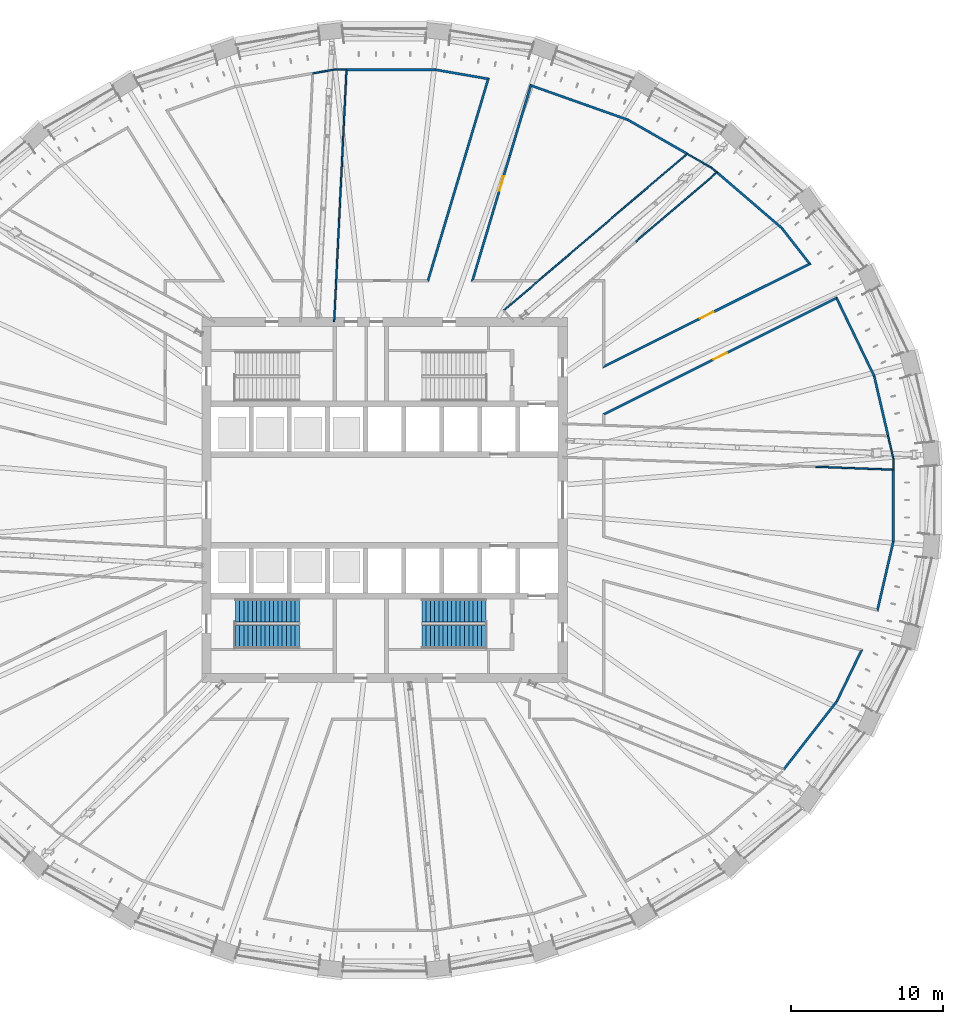
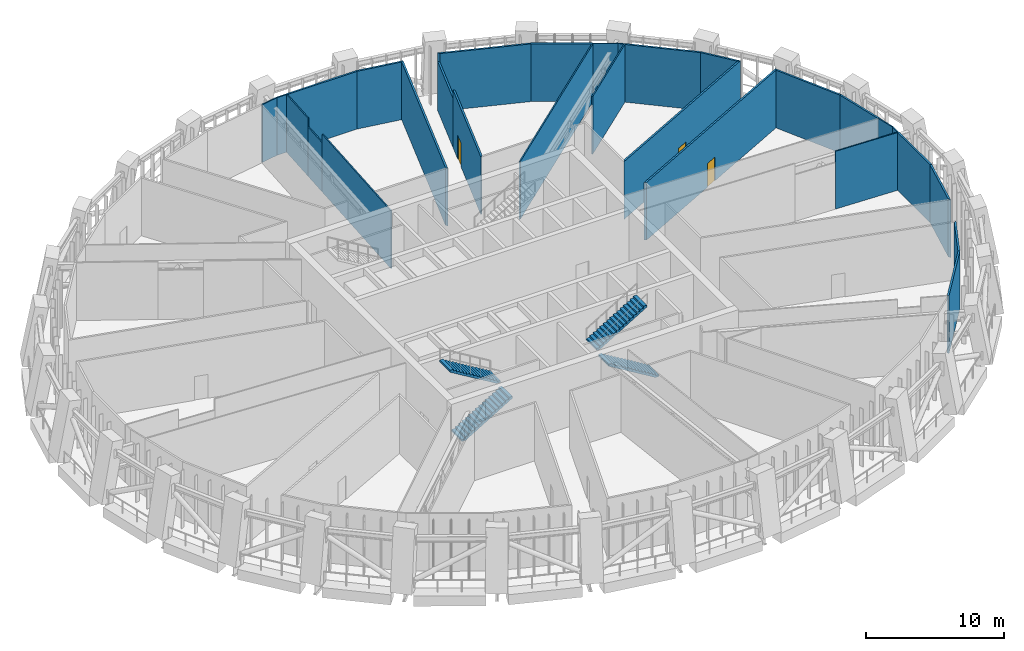
# One storey, part 11 of 22: 29 walls, 4 stair flights, 3 doors, 3 openings, 2 elements without a shape of their own.
"""IFC4 building model written with IfcOpenShell, lengths in metres."""

from ifc_helpers import new_model, si_unit, direction, frame, frame_2d, origin, place, context, subcontext, project, spatial, polyline, rectangle, outline, extrude, material, layer, layer_set, type_object, element, fill, aggregate, save


model = new_model("IFC4")

# Units and contexts
model_context = context("Model", 3, precision=1e-05, world=origin(), true_north=direction((0.0, 1.0)))
body_context = subcontext(model_context, "Body", "Model", "MODEL_VIEW")
ifc_project = project(units=[si_unit("LENGTHUNIT", "METRE"), si_unit("AREAUNIT", "SQUARE_METRE"), si_unit("VOLUMEUNIT", "CUBIC_METRE"), si_unit("PLANEANGLEUNIT", "RADIAN"), si_unit("MASSUNIT", "GRAM", prefix="KILO")], contexts=[model_context])

# Site, building, storey
site_placement = place(None, origin())
site = spatial("IfcSite", under=ifc_project, at=site_placement, CompositionType="ELEMENT")
building_placement = place(site_placement, origin())
building = spatial("IfcBuilding", under=site, at=building_placement, Name="Halqa Exchange Tower", CompositionType="ELEMENT")
storey_placement = place(building_placement, frame((0.0, 0.0, 99.10009765625)))
storey = spatial("IfcBuildingStorey", under=building, at=storey_placement, Name="L22", CompositionType="ELEMENT", Elevation=99.10009765625)

# Walls
ifc_material_1 = material(Name="Fire-rated gypsum board")
ifc_layer_1 = layer(ifc_material_1, 0.14990234375)
ifc_layer_set_1 = layer_set([ifc_layer_1], Name="Fire-rated gypsum board")
wall_type_1 = type_object("IfcWallType", Name="Fire partition EI 60 150", PredefinedType="PARTITIONING", material=ifc_layer_set_1)
wall_1_placement = place(storey_placement, frame((2.833984375, 14.346435546875, 0.0), z_axis=(0.0, 0.0, 1.0), x_axis=(0.286160235994, 0.958181777814, 0.0)))
element("IfcWall", 1, at=wall_1_placement, inside=storey, type_object=wall_type_1, Name="L22-PWL-053", PredefinedType="PARTITIONING", context=body_context, shape_type="SweptSolid", body=[
    extrude(outline(polyline([(13.977294921875, -0.074951171875), (13.977294921875, -0.074951171875), (13.80859375, 0.074951171875), (11.851806640625, 0.074951171875), (9.895263671875, 0.074951171875), (7.9384765625, 0.074951171875), (5.981689453125, 0.074951171875), (4.025146484375, 0.074951171875), (2.068359375, 0.074951171875), (0.11181640625, 0.074951171875), (0.0, -0.074951171875), (1.996826171875, -0.074951171875), (3.99365234375, -0.074951171875), (5.990234375, -0.074951171875), (7.987060546875, -0.074951171875), (9.98388671875, -0.074951171875), (11.98046875, -0.074951171875), (13.977294921875, -0.074951171875)])), origin(), (0.0, 0.0, 1.0), 5.099853515625),
])
wall_2_placement = place(storey_placement, frame((3.33642578125, 28.260009765625, 0.0), z_axis=(0.0, 0.0, 1.0), x_axis=(-1.0, 0.0, 0.0)))
element("IfcWall", 2, at=wall_2_placement, inside=storey, type_object=wall_type_1, Name="L22-PWL-055", PredefinedType="PARTITIONING", context=body_context, shape_type="SweptSolid", body=[
    extrude(outline(polyline([(5.83642578125, 0.074951171875), (3.895263671875, 0.074951171875), (1.9541015625, 0.074951171875), (0.012939453125, 0.074951171875), (0.0, -0.074951171875), (0.0, -0.074951171875), (1.945556640625, -0.074951171875), (3.890869140625, -0.074951171875), (5.83642578125, -0.074951171875), (5.83642578125, 0.074951171875)])), origin(), (0.0, 0.0, 1.0), 5.099853515625),
])
wall_3_placement = place(storey_placement, frame((3.32373046875, 28.260986328125, 0.0), z_axis=(0.0, 0.0, 1.0), x_axis=(0.985386860105, -0.170331253539, 0.0)))
element("IfcWall", 3, at=wall_3_placement, inside=storey, type_object=wall_type_1, Name="L22-PWL-056", PredefinedType="PARTITIONING", context=body_context, shape_type="SweptSolid", body=[
    extrude(outline(polyline([(0.0126953125, -0.074951171875), (1.73291015625, -0.074951171875), (3.453125, -0.074951171875), (3.6220703125, 0.074951171875), (1.81103515625, 0.074951171875), (0.0, 0.074951171875), (0.0, 0.073974609375), (0.0126953125, -0.074951171875)])), origin(), (0.0, 0.0, 1.0), 5.099853515625),
])
wall_4_placement = place(storey_placement, frame((9.626708984375, 27.302490234375, 0.0), z_axis=(0.0, 0.0, 1.0), x_axis=(-0.286438266336, -0.958098700332, 0.0)))
element("IfcWall", 4, at=wall_4_placement, inside=storey, type_object=wall_type_1, Name="L22-PWL-066", PredefinedType="PARTITIONING", context=body_context, shape_type="SweptSolid", body=[
    extrude(outline(polyline([(4.876220703125, 0.074951171875), (3.303466796875, 0.074951171875), (1.73046875, 0.074951171875), (0.15771484375, 0.074951171875), (0.0, -0.074951171875), (1.62548828125, -0.074951171875), (3.250732421875, -0.074951171875), (4.876220703125, -0.074951171875), (4.876220703125, 0.074951171875)])), origin(), (0.0, 0.0, 1.0), 4.346923828125),
])

# Wall, opening, door
wall_5_placement = place(storey_placement, frame((14.29150390625, 8.705810546875, 0.0), z_axis=(0.0, 0.0, 1.0), x_axis=(0.894694684053, 0.446678208925, 0.0)))
wall_5 = element("IfcWall", 5, at=wall_5_placement, inside=storey, type_object=wall_type_1, Name="L22-PWL-080", PredefinedType="PARTITIONING", context=body_context, shape_type="SweptSolid", body=[
    extrude(outline(polyline([(15.32421875, -0.074951171875), (15.32421875, -0.074951171875), (15.141357421875, 0.074951171875), (13.27880859375, 0.074951171875), (11.41650390625, 0.074951171875), (9.55419921875, 0.074951171875), (7.69189453125, 0.074951171875), (5.82958984375, 0.074951171875), (3.967041015625, 0.074951171875), (2.104736328125, 0.074951171875), (0.242431640625, 0.074951171875), (0.0, -0.074951171875), (1.91552734375, -0.074951171875), (3.8310546875, -0.074951171875), (5.74658203125, -0.074951171875), (7.662109375, -0.074951171875), (9.57763671875, -0.074951171875), (11.4931640625, -0.074951171875), (13.40869140625, -0.074951171875), (15.32421875, -0.074951171875)])), origin(), (0.0, 0.0, 1.0), 5.099853515625),
])
opening_1_placement = place(wall_5_placement, frame((7.177001953125, 0.0, 0.0)))
opening_1 = element("IfcOpeningElement", 6, at=opening_1_placement, cuts=wall_5, Name="Opening L22-10", PredefinedType="OPENING", context=body_context, shape_type="SweptSolid", body=[
    extrude(rectangle(XDim=1.0, YDim=2.10009765625, at=frame_2d((0.5, 1.050048828125))), frame((0.0, 0.0869140625, 0.0), z_axis=(0.0, -1.0, 0.0), x_axis=(1.0, 0.0, 0.0)), (0.0, 0.0, 1.0), 0.173828125),
])
ifc_material_2 = material(Name="Steel fire door leaf", Category="steel")
door_type = type_object("IfcDoorType", Name="Fire door FD30S 1000 x 2100", OperationType="SINGLE_SWING_LEFT", PredefinedType="DOOR", material=ifc_material_2)
door_1_placement = place(opening_1_placement, origin())
door_1 = element("IfcDoor", 7, at=door_1_placement, inside=storey, type_object=door_type, Name="L22-IDR-010", OperationType="SINGLE_SWING_LEFT", OverallHeight=2.10009765625, OverallWidth=1.0, PredefinedType="DOOR", context=body_context, shape_type="SweptSolid", body=[
    extrude(rectangle(XDim=1.0, YDim=2.10009765625, at=frame_2d((0.5, 1.050048828125))), frame((0.0, 0.02490234375, 0.0), z_axis=(0.0, -1.0, 0.0), x_axis=(1.0, 0.0, 0.0)), (0.0, 0.0, 1.0), 0.050048828125),
])
fill(opening_1, door_1)

# Walls
wall_6_placement = place(storey_placement, frame((15.986328125, 24.9677734375, 0.0), z_axis=(0.0, 0.0, 1.0), x_axis=(-0.942675356436, 0.333711211032, 0.0)))
element("IfcWall", 8, at=wall_6_placement, inside=storey, type_object=wall_type_1, Name="L22-PWL-083", PredefinedType="PARTITIONING", context=body_context, shape_type="SweptSolid", body=[
    extrude(outline(polyline([(6.84912109375, -0.074951171875), (6.84912109375, -0.074951171875), (6.691650390625, 0.074951171875), (5.022216796875, 0.074951171875), (3.3525390625, 0.074951171875), (1.68310546875, 0.074951171875), (0.013427734375, 0.074951171875), (0.0, -0.07421875), (0.0, -0.074951171875), (1.71240234375, -0.074951171875), (3.424560546875, -0.074951171875), (5.13671875, -0.074951171875), (6.84912109375, -0.074951171875)])), origin(), (0.0, 0.0, 1.0), 5.099853515625),
])
wall_7_placement = place(storey_placement, frame((19.8701171875, 22.739990234375, 0.0), z_axis=(0.0, 0.0, 1.0), x_axis=(-0.867559828307, 0.497332830515, 0.0)))
element("IfcWall", 9, at=wall_7_placement, inside=storey, type_object=wall_type_1, Name="L22-PWL-084", PredefinedType="PARTITIONING", context=body_context, shape_type="SweptSolid", body=[
    extrude(outline(polyline([(4.49072265625, -0.074951171875), (4.49072265625, -0.07470703125), (4.477294921875, 0.074951171875), (2.98486328125, 0.074951171875), (1.492431640625, 0.074951171875), (0.0, 0.074951171875), (0.0, -0.074951171875), (1.496826171875, -0.074951171875), (2.993896484375, -0.074951171875), (4.49072265625, -0.074951171875)])), origin(), (0.0, 0.0, 1.0), 5.099853515625),
])
wall_8_placement = place(storey_placement, frame((26.095703125, 17.85498046875, 0.0), z_axis=(0.0, 0.0, 1.0), x_axis=(-0.758501684647, 0.651671078373, 0.0)))
element("IfcWall", 10, at=wall_8_placement, inside=storey, type_object=wall_type_1, Name="L22-PWL-089", PredefinedType="PARTITIONING", context=body_context, shape_type="SweptSolid", body=[
    extrude(outline(polyline([(5.573974609375, 0.074951171875), (3.720947265625, 0.074951171875), (1.8681640625, 0.074951171875), (0.01513671875, 0.074951171875), (0.0, -0.074951171875), (1.858154296875, -0.074951171875), (3.716064453125, -0.074951171875), (5.573974609375, -0.074951171875), (5.573974609375, 0.074951171875)])), origin(), (0.0, 0.0, 1.0), 5.099853515625),
])
wall_9_placement = place(storey_placement, frame((26.2109375, -17.704345703125, 0.0), z_axis=(0.0, 0.0, 1.0), x_axis=(0.614915849889, 0.788592732375, 0.0)))
element("IfcWall", 11, at=wall_9_placement, inside=storey, type_object=wall_type_1, Name="L22-PWL-090", PredefinedType="PARTITIONING", context=body_context, shape_type="SweptSolid", body=[
    extrude(outline(polyline([(0.0, -0.074951171875), (1.89404296875, -0.074951171875), (3.787841796875, -0.074951171875), (5.681884765625, -0.074951171875), (5.666015625, 0.074951171875), (3.7978515625, 0.074951171875), (1.929931640625, 0.074951171875), (0.061767578125, 0.074951171875), (0.0, -0.074951171875)])), origin(), (0.0, 0.0, 1.0), 5.099853515625),
])
wall_10_placement = place(storey_placement, frame((27.976318359375, 15.437744140625, 0.0), z_axis=(0.0, 0.0, 1.0), x_axis=(-0.614396342768, 0.788997550055, 0.0)))
element("IfcWall", 12, at=wall_10_placement, inside=storey, type_object=wall_type_1, Name="L22-PWL-091", PredefinedType="PARTITIONING", context=body_context, shape_type="SweptSolid", body=[
    extrude(outline(polyline([(0.0, -0.074951171875), (1.538818359375, -0.074951171875), (3.07763671875, -0.074951171875), (3.0625, 0.074951171875), (1.622802734375, 0.074951171875), (0.18310546875, 0.074951171875), (0.0, -0.074951171875)])), origin(), (0.0, 0.0, 1.0), 5.099853515625),
])

# Wall, opening, door
wall_11_placement = place(storey_placement, frame((29.75244140625, 13.296142578125, 0.0), z_axis=(0.0, 0.0, 1.0), x_axis=(-0.894665437073, -0.446736785711, 0.0)))
wall_11 = element("IfcWall", 13, at=wall_11_placement, inside=storey, type_object=wall_type_1, Name="L22-PWL-092", PredefinedType="PARTITIONING", context=body_context, shape_type="SweptSolid", body=[
    extrude(outline(polyline([(0.0, -0.074951171875), (1.911865234375, -0.074951171875), (3.82373046875, -0.074951171875), (5.735595703125, -0.074951171875), (7.647216796875, -0.074951171875), (9.55908203125, -0.074951171875), (11.470947265625, -0.074951171875), (13.3828125, -0.074951171875), (15.294677734375, -0.074951171875), (17.20654296875, -0.074951171875), (17.11376953125, 0.074951171875), (15.229248046875, 0.074951171875), (13.344482421875, 0.074951171875), (11.4599609375, 0.074951171875), (9.5751953125, 0.074951171875), (7.690673828125, 0.074951171875), (5.805908203125, 0.074951171875), (3.92138671875, 0.074951171875), (2.03662109375, 0.074951171875), (0.152099609375, 0.074951171875), (0.0, -0.074951171875)])), origin(), (0.0, 0.0, 1.0), 5.099853515625),
])
opening_2_placement = place(wall_11_placement, frame((8.12060546875, 0.0, 0.0)))
opening_2 = element("IfcOpeningElement", 14, at=opening_2_placement, cuts=wall_11, Name="Opening L22-09", PredefinedType="OPENING", context=body_context, shape_type="SweptSolid", body=[
    extrude(rectangle(XDim=1.0, YDim=2.10009765625, at=frame_2d((0.5, 1.050048828125))), frame((0.0, 0.0869140625, 0.0), z_axis=(0.0, -1.0, 0.0), x_axis=(1.0, 0.0, 0.0)), (0.0, 0.0, 1.0), 0.173828125),
])
door_2_placement = place(opening_2_placement, origin())
door_2 = element("IfcDoor", 15, at=door_2_placement, inside=storey, type_object=door_type, Name="L22-IDR-009", OperationType="SINGLE_SWING_RIGHT", OverallHeight=2.10009765625, OverallWidth=1.0, PredefinedType="DOOR", context=body_context, shape_type="SweptSolid", body=[
    extrude(rectangle(XDim=1.0, YDim=2.10009765625, at=frame_2d((0.5, 1.050048828125))), frame((0.0, 0.02490234375, 0.0), z_axis=(0.0, -1.0, 0.0), x_axis=(1.0, 0.0, 0.0)), (0.0, 0.0, 1.0), 0.050048828125),
])
fill(opening_2, door_2)

# Walls
wall_12_placement = place(storey_placement, frame((29.696533203125, -13.2373046875, 0.0), z_axis=(0.0, 0.0, 1.0), x_axis=(0.435381547963, 0.900246026202, 0.0)))
element("IfcWall", 16, at=wall_12_placement, inside=storey, type_object=wall_type_1, Name="L22-PWL-093", PredefinedType="PARTITIONING", context=body_context, shape_type="SweptSolid", body=[
    extrude(outline(polyline([(0.0, -0.074951171875), (1.921142578125, -0.074951171875), (3.842041015625, -0.074951171875), (3.660888671875, 0.074951171875), (1.83837890625, 0.074951171875), (0.01611328125, 0.074951171875), (0.0, -0.074951171875)])), origin(), (0.0, 0.0, 1.0), 5.099853515625),
])
wall_13_placement = place(storey_placement, frame((32.16357421875, 8.12255859375, 0.0), z_axis=(0.0, 0.0, 1.0), x_axis=(-0.434451501861, 0.900695227328, 0.0)))
element("IfcWall", 17, at=wall_13_placement, inside=storey, type_object=wall_type_1, Name="L22-PWL-095", PredefinedType="PARTITIONING", context=body_context, shape_type="SweptSolid", body=[
    extrude(outline(polyline([(0.0, -0.074951171875), (1.927490234375, -0.074951171875), (3.85498046875, -0.074951171875), (5.7822265625, -0.074951171875), (5.63037109375, 0.074951171875), (3.759033203125, 0.074951171875), (1.887939453125, 0.074951171875), (0.0166015625, 0.074951171875), (0.0, -0.07421875), (0.0, -0.074951171875)])), origin(), (0.0, 0.0, 1.0), 5.099853515625),
])
wall_14_placement = place(storey_placement, frame((32.3525390625, -7.315673828125, 0.0), z_axis=(0.0, 0.0, 1.0), x_axis=(0.225158894776, 0.974322057691, 0.0)))
element("IfcWall", 18, at=wall_14_placement, inside=storey, type_object=wall_type_1, Name="L22-PWL-096", PredefinedType="PARTITIONING", context=body_context, shape_type="SweptSolid", body=[
    extrude(outline(polyline([(0.0, -0.074951171875), (1.568359375, -0.074951171875), (3.136474609375, -0.074951171875), (4.704833984375, -0.074951171875), (4.687744140625, 0.074951171875), (3.177001953125, 0.074951171875), (1.666015625, 0.074951171875), (0.1552734375, 0.074951171875), (0.0, -0.074951171875), (0.0, -0.074951171875)])), origin(), (0.0, 0.0, 1.0), 5.099853515625),
])
wall_15_placement = place(storey_placement, frame((33.070068359375, 4.2099609375, 0.0), z_axis=(0.0, 0.0, 1.0), x_axis=(-0.226119449159, 0.974099581517, 0.0)))
element("IfcWall", 19, at=wall_15_placement, inside=storey, type_object=wall_type_1, Name="L22-PWL-097", PredefinedType="PARTITIONING", context=body_context, shape_type="SweptSolid", body=[
    extrude(outline(polyline([(0.0, -0.074951171875), (1.34423828125, -0.074951171875), (2.6884765625, -0.074951171875), (4.03271484375, -0.074951171875), (4.015869140625, 0.074951171875), (2.67724609375, 0.074951171875), (1.338623046875, 0.074951171875), (0.0, 0.074951171875), (0.0, -0.074951171875)])), origin(), (0.0, 0.0, 1.0), 5.099853515625),
])
wall_16_placement = place(storey_placement, frame((33.409912109375, -2.74853515625, 0.0), z_axis=(0.0, 0.0, 1.0), x_axis=(0.0, 1.0, 0.0)))
element("IfcWall", 20, at=wall_16_placement, inside=storey, type_object=wall_type_1, Name="L22-PWL-098", PredefinedType="PARTITIONING", context=body_context, shape_type="SweptSolid", body=[
    extrude(outline(polyline([(4.738525390625, 0.074951171875), (3.164794921875, 0.074951171875), (1.5908203125, 0.074951171875), (0.01708984375, 0.074951171875), (0.0, -0.074951171875), (0.0, -0.074951171875), (1.57958984375, -0.074951171875), (3.158935546875, -0.074951171875), (4.738525390625, -0.074951171875), (4.738525390625, 0.074951171875)])), origin(), (0.0, 0.0, 1.0), 5.099853515625),
])

# Wall, opening, door
wall_17_placement = place(storey_placement, frame((8.22998046875, 22.630615234375, 0.0), z_axis=(0.0, 0.0, 1.0), x_axis=(-0.286358109642, -0.95812266075, 0.0)))
wall_17 = element("IfcWall", 21, at=wall_17_placement, inside=storey, type_object=wall_type_1, Name="L22-PWL-107", PredefinedType="PARTITIONING", context=body_context, shape_type="SweptSolid", body=[
    extrude(outline(polyline([(0.0, -0.074951171875), (1.73828125, -0.074951171875), (3.476318359375, -0.074951171875), (5.214599609375, -0.074951171875), (6.95263671875, -0.074951171875), (8.69091796875, -0.074951171875), (8.48974609375, 0.074951171875), (6.791748046875, 0.074951171875), (5.09375, 0.074951171875), (3.395751953125, 0.074951171875), (1.697998046875, 0.074951171875), (0.0, 0.074951171875), (0.0, -0.074951171875)])), origin(), (0.0, 0.0, 1.0), 5.099853515625),
])
opening_3_placement = place(wall_17_placement, frame((1.4208984375, 0.0, 0.0)))
opening_3 = element("IfcOpeningElement", 22, at=opening_3_placement, cuts=wall_17, Name="Opening L22-11", PredefinedType="OPENING", context=body_context, shape_type="SweptSolid", body=[
    extrude(rectangle(XDim=1.0, YDim=2.10009765625, at=frame_2d((0.5, 1.050048828125))), frame((0.0, 0.0869140625, 0.0), z_axis=(0.0, -1.0, 0.0), x_axis=(1.0, 0.0, 0.0)), (0.0, 0.0, 1.0), 0.173828125),
])
door_3_placement = place(opening_3_placement, origin())
door_3 = element("IfcDoor", 23, at=door_3_placement, inside=storey, type_object=door_type, Name="L22-IDR-011", OperationType="SINGLE_SWING_LEFT", OverallHeight=2.10009765625, OverallWidth=1.0, PredefinedType="DOOR", context=body_context, shape_type="SweptSolid", body=[
    extrude(rectangle(XDim=1.0, YDim=2.10009765625, at=frame_2d((0.5, 1.050048828125))), frame((0.0, 0.02490234375, 0.0), z_axis=(0.0, -1.0, 0.0), x_axis=(1.0, 0.0, 0.0)), (0.0, 0.0, 1.0), 0.050048828125),
])
fill(opening_3, door_3)

# Walls
ifc_material_3 = material(Name="Gypsum board")
ifc_layer_2 = layer(ifc_material_3, 0.10009765625)
ifc_layer_set_2 = layer_set([ifc_layer_2], Name="Gypsum board")
wall_type_2 = type_object("IfcWallType", Name="Partition 100 gypsum", PredefinedType="PARTITIONING", material=ifc_layer_set_2)
wall_18_placement = place(storey_placement, frame((-3.32568359375, 28.2607421875, 0.0), z_axis=(0.0, 0.0, 1.0), x_axis=(-0.985421236807, -0.170132260461, 0.0)))
element("IfcWall", 24, at=wall_18_placement, inside=storey, type_object=wall_type_2, Name="L22-PWL-045", PredefinedType="PARTITIONING", context=body_context, shape_type="SweptSolid", body=[
    extrude(outline(polyline([(1.414794921875, 0.050048828125), (0.0087890625, 0.050048828125), (0.0, -0.050048828125), (1.414794921875, -0.050048828125), (1.414794921875, 0.050048828125)])), origin(), (0.0, 0.0, 1.0), 5.099853515625),
])
wall_19_placement = place(storey_placement, frame((-3.31005859375, 11.699951171875, 0.0), z_axis=(0.0, 0.0, 1.0), x_axis=(0.048854758108, 0.99880589336, 0.0)))
element("IfcWall", 25, at=wall_19_placement, inside=storey, type_object=wall_type_2, Name="L22-PWL-046", PredefinedType="PARTITIONING", context=body_context, shape_type="SweptSolid", body=[
    extrude(outline(polyline([(0.0, -0.050048828125), (1.38232421875, -0.050048828125), (2.7646484375, -0.050048828125), (2.78076171875, -0.04931640625), (2.78076171875, -0.050048828125), (4.3994140625, -0.050048828125), (6.01806640625, -0.050048828125), (7.63671875, -0.050048828125), (9.25537109375, -0.050048828125), (10.8740234375, -0.050048828125), (10.8740234375, 0.050048828125), (9.061767578125, 0.050048828125), (7.249267578125, 0.050048828125), (5.43701171875, 0.050048828125), (3.624755859375, 0.050048828125), (1.812255859375, 0.050048828125), (0.0, 0.050048828125), (0.0, -0.050048828125)])), origin(), (0.0, 0.0, 1.0), 5.099853515625),
])
wall_20_placement = place(storey_placement, frame((-2.5, 28.260009765625, 0.0), z_axis=(0.0, 0.0, 1.0), x_axis=(-1.0, 0.0, 0.0)))
element("IfcWall", 26, at=wall_20_placement, inside=storey, type_object=wall_type_2, Name="L22-PWL-048", PredefinedType="PARTITIONING", context=body_context, shape_type="SweptSolid", body=[
    extrude(outline(polyline([(0.834228515625, -0.050048828125), (0.834228515625, -0.04931640625), (0.82568359375, 0.050048828125), (0.0, 0.050048828125), (0.0, -0.050048828125), (0.834228515625, -0.050048828125)])), origin(), (0.0, 0.0, 1.0), 5.099853515625),
])
wall_21_placement = place(storey_placement, frame((7.7919921875, 12.41748046875, 0.0), z_axis=(0.0, 0.0, 1.0), x_axis=(0.76019424358, 0.649695861175, 0.0)))
element("IfcWall", 27, at=wall_21_placement, inside=storey, type_object=wall_type_2, Name="L22-PWL-062", PredefinedType="PARTITIONING", context=body_context, shape_type="SweptSolid", body=[
    extrude(outline(polyline([(15.793212890625, 0.050048828125), (13.819091796875, 0.050048828125), (11.844970703125, 0.050048828125), (9.870849609375, 0.050048828125), (7.896728515625, 0.050048828125), (5.92236328125, 0.050048828125), (3.9482421875, 0.050048828125), (1.97412109375, 0.050048828125), (0.0, 0.050048828125), (0.10009765625, -0.050048828125), (2.061767578125, -0.050048828125), (4.0234375, -0.050048828125), (5.985107421875, -0.050048828125), (7.946533203125, -0.050048828125), (9.908203125, -0.050048828125), (11.869873046875, -0.050048828125), (13.83154296875, -0.050048828125), (15.793212890625, -0.050048828125), (15.793212890625, 0.050048828125)])), origin(), (0.0, 0.0, 1.0), 5.099853515625),
])
wall_22_placement = place(storey_placement, frame((21.4638671875, 21.827880859375, 0.0), z_axis=(0.0, 0.0, 1.0), x_axis=(-0.867915684875, 0.496711550045, 0.0)))
element("IfcWall", 28, at=wall_22_placement, inside=storey, type_object=wall_type_2, Name="L22-PWL-086", PredefinedType="PARTITIONING", context=body_context, shape_type="SweptSolid", body=[
    extrude(outline(polyline([(1.836181640625, 0.050048828125), (0.0087890625, 0.050048828125), (0.0, -0.04931640625), (0.0, -0.050048828125), (1.836181640625, -0.050048828125), (1.836181640625, 0.050048828125)])), origin(), (0.0, 0.0, 1.0), 5.099853515625),
])
wall_23_placement = place(storey_placement, frame((21.86865234375, 21.487548828125, 0.0), z_axis=(0.0, 0.0, 1.0), x_axis=(-0.766357366052, 0.642414498201, 0.0)))
element("IfcWall", 29, at=wall_23_placement, inside=storey, type_object=wall_type_2, Name="L22-PWL-087", PredefinedType="PARTITIONING", context=body_context, shape_type="SweptSolid", body=[
    extrude(outline(polyline([(0.0, -0.050048828125), (0.53759765625, -0.050048828125), (0.533203125, 0.0), (0.52880859375, 0.050048828125), (0.107666015625, 0.050048828125), (0.097900390625, -0.008056640625), (0.00048828125, 0.00830078125), (0.0, -0.03662109375), (0.0, -0.050048828125)])), origin(), (0.0, 0.0, 1.0), 5.099853515625),
])
wall_24_placement = place(storey_placement, frame((33.409912109375, 1.989990234375, 0.0), z_axis=(0.0, 0.0, 1.0), x_axis=(0.0, 1.0, 0.0)))
element("IfcWall", 30, at=wall_24_placement, inside=storey, type_object=wall_type_2, Name="L22-PWL-099", PredefinedType="PARTITIONING", context=body_context, shape_type="SweptSolid", body=[
    extrude(outline(polyline([(0.755615234375, -0.050048828125), (0.755615234375, -0.04931640625), (0.744384765625, 0.050048828125), (0.0, 0.050048828125), (0.0, -0.050048828125), (0.755615234375, -0.050048828125)])), origin(), (0.0, 0.0, 1.0), 5.099853515625),
])
wall_25_placement = place(storey_placement, frame((33.411376953125, 2.734375, 0.0), z_axis=(0.0, 0.0, 1.0), x_axis=(-0.225353937126, 0.974276964226, 0.0)))
element("IfcWall", 31, at=wall_25_placement, inside=storey, type_object=wall_type_2, Name="L22-PWL-100", PredefinedType="PARTITIONING", context=body_context, shape_type="SweptSolid", body=[
    extrude(outline(polyline([(1.5146484375, 0.050048828125), (0.011474609375, 0.050048828125), (0.0, -0.050048828125), (1.5146484375, -0.050048828125), (1.5146484375, 0.050048828125)])), origin(), (0.0, 0.0, 1.0), 5.099853515625),
])
wall_26_placement = place(storey_placement, frame((-2.77880859375, 22.56103515625, 0.0), z_axis=(0.0, 0.0, 1.0), x_axis=(0.048884279137, 0.998804448955, 0.0)))
element("IfcWall", 32, at=wall_26_placement, inside=storey, type_object=wall_type_2, Name="L22-PWL-105", PredefinedType="PARTITIONING", context=body_context, shape_type="SweptSolid", body=[
    extrude(outline(polyline([(0.0, 0.050048828125), (0.0, -0.050048828125), (2.27734375, -0.050048828125), (2.27734375, 0.050048828125), (0.0, 0.050048828125)])), origin(), (0.0, 0.0, 1.0), 4.346923828125),
])
wall_27_placement = place(storey_placement, frame((-2.66748046875, 24.835693359375, 0.0), z_axis=(0.0, 0.0, 1.0), x_axis=(0.048822871349, 0.998807452532, 0.0)))
element("IfcWall", 33, at=wall_27_placement, inside=storey, type_object=wall_type_2, Name="L22-PWL-106", PredefinedType="PARTITIONING", context=body_context, shape_type="SweptSolid", body=[
    extrude(outline(polyline([(0.0, -0.050048828125), (1.677978515625, -0.050048828125), (3.355712890625, -0.050048828125), (3.353515625, -0.003662109375), (3.375244140625, -0.002685546875), (3.375244140625, 0.050048828125), (1.6875, 0.050048828125), (0.0, 0.050048828125), (0.0, -0.050048828125)])), origin(), (0.0, 0.0, 1.0), 5.099853515625),
])
wall_28_placement = place(storey_placement, frame((16.48193359375, 16.947998046875, 0.0), z_axis=(0.0, 0.0, 1.0), x_axis=(0.760281921653, 0.649593257052, 0.0)))
element("IfcWall", 34, at=wall_28_placement, inside=storey, type_object=wall_type_2, Name="L22-PWL-109", PredefinedType="PARTITIONING", context=body_context, shape_type="SweptSolid", body=[
    extrude(rectangle(XDim=7.0361328125, YDim=0.10009765625, at=frame_2d((3.51806640625, 0.0))), origin(), (0.0, 0.0, 1.0), 5.099853515625),
])
wall_29_placement = place(storey_placement, frame((28.273193359375, 2.18408203125, 0.0), z_axis=(0.0, 0.0, 1.0), x_axis=(0.99928681657, -0.037760537986, 0.0)))
element("IfcWall", 35, at=wall_29_placement, inside=storey, type_object=wall_type_2, Name="L22-PWL-113", PredefinedType="PARTITIONING", context=body_context, shape_type="SweptSolid", body=[
    extrude(outline(polyline([(0.0, -0.050048828125), (1.689208984375, -0.050048828125), (3.378173828125, -0.050048828125), (5.0673828125, -0.050048828125), (5.0654296875, -0.002685546875), (5.08837890625, -0.001953125), (5.08837890625, 0.050048828125), (3.392333984375, 0.050048828125), (1.696044921875, 0.050048828125), (0.0, 0.050048828125), (0.0, -0.050048828125)])), origin(), (0.0, 0.0, 1.0), 5.099853515625),
])

# Stair, stair flights
ifc_material_4 = material(Name="Concrete C30/37", Category="concrete")
stair_type = type_object("IfcStairType", Name="Exit stair 1500 wide", PredefinedType="HALF_TURN_STAIR", material=ifc_material_4)
stair_1_placement = place(storey_placement, origin())
stair_1 = element("IfcStair", 36, at=stair_1_placement, inside=storey, type_object=stair_type, Name="Exit stair ST3", PredefinedType="HALF_TURN_STAIR")
stair_flight_type = type_object("IfcStairFlightType", Name="Stair flight 1500 wide", PredefinedType="STRAIGHT", material=ifc_material_4)
stair_flight_1_placement = place(storey_placement, frame((-9.800048828125, -9.0, 0.0), z_axis=(0.0, 0.0, 1.0), x_axis=(1.0, 0.0, 0.0)))
stair_flight_1 = element("IfcStairFlight", 37, at=stair_flight_1_placement, type_object=stair_flight_type, Name="ST3 flight 1", NumberOfRisers=16, NumberOfTreads=15, PredefinedType="STRAIGHT", RiserHeight=0.16875, TreadLength=0.28, context=body_context, shape_type="SweptSolid", body=[
    extrude(outline(polyline([(0.0, 0.0), (0.0, 0.168701171875), (0.280029296875, 0.168701171875), (0.280029296875, 0.33740234375), (0.56005859375, 0.33740234375), (0.56005859375, 0.50634765625), (0.840087890625, 0.50634765625), (0.840087890625, 0.675048828125), (1.1201171875, 0.675048828125), (1.1201171875, 0.84375), (1.39990234375, 0.84375), (1.39990234375, 1.012451171875), (1.679931640625, 1.012451171875), (1.679931640625, 1.18115234375), (1.9599609375, 1.18115234375), (1.9599609375, 1.35009765625), (2.239990234375, 1.35009765625), (2.239990234375, 1.518798828125), (2.52001953125, 1.518798828125), (2.52001953125, 1.6875), (2.800048828125, 1.6875), (2.800048828125, 1.856201171875), (3.080078125, 1.856201171875), (3.080078125, 2.02490234375), (3.360107421875, 2.02490234375), (3.360107421875, 2.19384765625), (3.639892578125, 2.19384765625), (3.639892578125, 2.362548828125), (3.919921875, 2.362548828125), (3.919921875, 2.53125), (4.199951171875, 2.53125), (4.199951171875, 2.699951171875), (4.199951171875, 2.356201171875), (0.29052734375, 0.0), (0.0, 0.0)])), frame((0.0, 0.75, 0.0), z_axis=(0.0, -1.0, 0.0), x_axis=(1.0, 0.0, 0.0)), (0.0, 0.0, 1.0), 1.5),
])
stair_flight_2_placement = place(storey_placement, frame((-5.60009765625, -7.25, 2.699951171875), z_axis=(0.0, 0.0, 1.0), x_axis=(-1.0, 0.0, 0.0)))
stair_flight_2 = element("IfcStairFlight", 38, at=stair_flight_2_placement, type_object=stair_flight_type, Name="ST3 flight 2", NumberOfRisers=16, NumberOfTreads=15, PredefinedType="STRAIGHT", RiserHeight=0.16875, TreadLength=0.28, context=body_context, shape_type="SweptSolid", body=[
    extrude(outline(polyline([(0.0, 0.0), (0.0, 0.168701171875), (0.280029296875, 0.168701171875), (0.280029296875, 0.33740234375), (0.56005859375, 0.33740234375), (0.56005859375, 0.50634765625), (0.840087890625, 0.50634765625), (0.840087890625, 0.675048828125), (1.1201171875, 0.675048828125), (1.1201171875, 0.84375), (1.39990234375, 0.84375), (1.39990234375, 1.012451171875), (1.679931640625, 1.012451171875), (1.679931640625, 1.18115234375), (1.9599609375, 1.18115234375), (1.9599609375, 1.35009765625), (2.239990234375, 1.35009765625), (2.239990234375, 1.518798828125), (2.52001953125, 1.518798828125), (2.52001953125, 1.6875), (2.800048828125, 1.6875), (2.800048828125, 1.856201171875), (3.080078125, 1.856201171875), (3.080078125, 2.02490234375), (3.360107421875, 2.02490234375), (3.360107421875, 2.19384765625), (3.639892578125, 2.19384765625), (3.639892578125, 2.362548828125), (3.919921875, 2.362548828125), (3.919921875, 2.53125), (4.199951171875, 2.53125), (4.199951171875, 2.699951171875), (4.199951171875, 2.356201171875), (0.29052734375, 0.0), (0.0, 0.0)])), frame((0.0, 0.75, 0.0), z_axis=(0.0, -1.0, 0.0), x_axis=(1.0, 0.0, 0.0)), (0.0, 0.0, 1.0), 1.5),
])
aggregate(stair_1, [stair_flight_1, stair_flight_2])

stair_2_placement = place(storey_placement, origin())
stair_2 = element("IfcStair", 39, at=stair_2_placement, inside=storey, type_object=stair_type, Name="Exit stair ST4", PredefinedType="HALF_TURN_STAIR")
stair_flight_3_placement = place(storey_placement, frame((6.64990234375, -9.0, 0.0), z_axis=(0.0, 0.0, 1.0), x_axis=(-1.0, 0.0, 0.0)))
stair_flight_3 = element("IfcStairFlight", 40, at=stair_flight_3_placement, type_object=stair_flight_type, Name="ST4 flight 1", NumberOfRisers=16, NumberOfTreads=15, PredefinedType="STRAIGHT", RiserHeight=0.16875, TreadLength=0.28, context=body_context, shape_type="SweptSolid", body=[
    extrude(outline(polyline([(0.0, 0.0), (0.0, 0.168701171875), (0.280029296875, 0.168701171875), (0.280029296875, 0.33740234375), (0.56005859375, 0.33740234375), (0.56005859375, 0.50634765625), (0.840087890625, 0.50634765625), (0.840087890625, 0.675048828125), (1.1201171875, 0.675048828125), (1.1201171875, 0.84375), (1.39990234375, 0.84375), (1.39990234375, 1.012451171875), (1.679931640625, 1.012451171875), (1.679931640625, 1.18115234375), (1.9599609375, 1.18115234375), (1.9599609375, 1.35009765625), (2.239990234375, 1.35009765625), (2.239990234375, 1.518798828125), (2.52001953125, 1.518798828125), (2.52001953125, 1.6875), (2.800048828125, 1.6875), (2.800048828125, 1.856201171875), (3.080078125, 1.856201171875), (3.080078125, 2.02490234375), (3.360107421875, 2.02490234375), (3.360107421875, 2.19384765625), (3.639892578125, 2.19384765625), (3.639892578125, 2.362548828125), (3.919921875, 2.362548828125), (3.919921875, 2.53125), (4.199951171875, 2.53125), (4.199951171875, 2.699951171875), (4.199951171875, 2.356201171875), (0.29052734375, 0.0), (0.0, 0.0)])), frame((0.0, 0.75, 0.0), z_axis=(0.0, -1.0, 0.0), x_axis=(1.0, 0.0, 0.0)), (0.0, 0.0, 1.0), 1.5),
])
stair_flight_4_placement = place(storey_placement, frame((2.449951171875, -7.25, 2.699951171875), z_axis=(0.0, 0.0, 1.0), x_axis=(1.0, 0.0, 0.0)))
stair_flight_4 = element("IfcStairFlight", 41, at=stair_flight_4_placement, type_object=stair_flight_type, Name="ST4 flight 2", NumberOfRisers=16, NumberOfTreads=15, PredefinedType="STRAIGHT", RiserHeight=0.16875, TreadLength=0.28, context=body_context, shape_type="SweptSolid", body=[
    extrude(outline(polyline([(0.0, 0.0), (0.0, 0.168701171875), (0.280029296875, 0.168701171875), (0.280029296875, 0.33740234375), (0.56005859375, 0.33740234375), (0.56005859375, 0.50634765625), (0.840087890625, 0.50634765625), (0.840087890625, 0.675048828125), (1.1201171875, 0.675048828125), (1.1201171875, 0.84375), (1.39990234375, 0.84375), (1.39990234375, 1.012451171875), (1.679931640625, 1.012451171875), (1.679931640625, 1.18115234375), (1.9599609375, 1.18115234375), (1.9599609375, 1.35009765625), (2.239990234375, 1.35009765625), (2.239990234375, 1.518798828125), (2.52001953125, 1.518798828125), (2.52001953125, 1.6875), (2.800048828125, 1.6875), (2.800048828125, 1.856201171875), (3.080078125, 1.856201171875), (3.080078125, 2.02490234375), (3.360107421875, 2.02490234375), (3.360107421875, 2.19384765625), (3.639892578125, 2.19384765625), (3.639892578125, 2.362548828125), (3.919921875, 2.362548828125), (3.919921875, 2.53125), (4.199951171875, 2.53125), (4.199951171875, 2.699951171875), (4.199951171875, 2.356201171875), (0.29052734375, 0.0), (0.0, 0.0)])), frame((0.0, 0.75, 0.0), z_axis=(0.0, -1.0, 0.0), x_axis=(1.0, 0.0, 0.0)), (0.0, 0.0, 1.0), 1.5),
])
aggregate(stair_2, [stair_flight_3, stair_flight_4])

save(model, "model.ifc")
